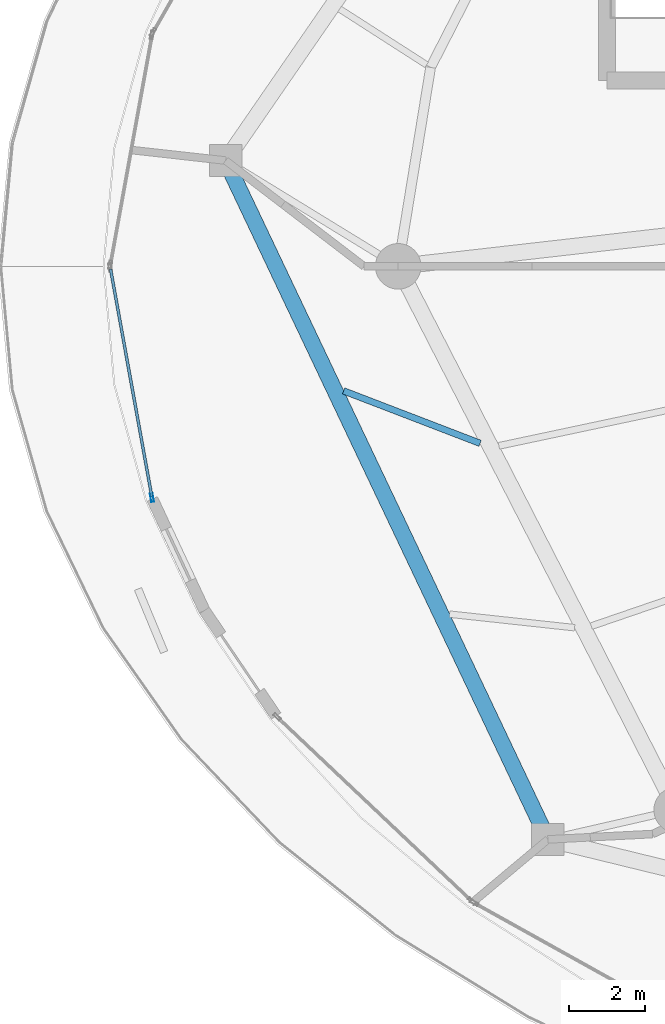
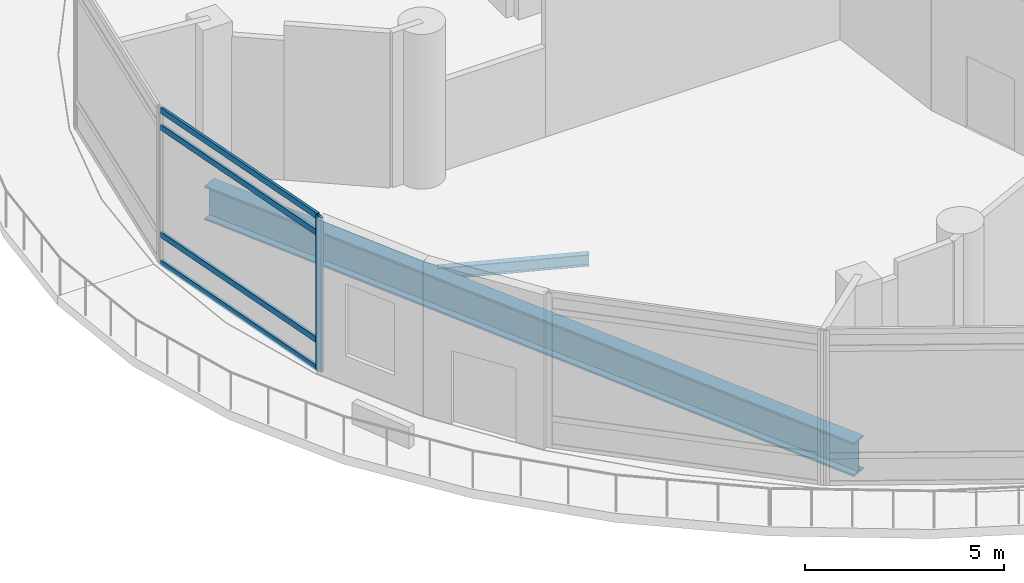
# One storey, part 7 of 34: 5 members, 2 beams, 1 element without a shape of its own.
"""IFC4 building model written with IfcOpenShell, lengths in metres."""

from ifc_helpers import new_model, si_unit, direction, frame, origin, origin_2d, place, context, subcontext, project, spatial, hollow_rectangle, i_section, extrude, material, layer, layer_set, material_profile, profile_set, type_object, element, aggregate, save


model = new_model("IFC4")

# Units and contexts
model_context = context("Model", 3, precision=1e-05, world=origin(), true_north=direction((0.0, 1.0)))
body_context = subcontext(model_context, "Body", "Model", "MODEL_VIEW")
ifc_project = project(units=[si_unit("LENGTHUNIT", "METRE"), si_unit("AREAUNIT", "SQUARE_METRE"), si_unit("VOLUMEUNIT", "CUBIC_METRE"), si_unit("PLANEANGLEUNIT", "RADIAN"), si_unit("MASSUNIT", "GRAM", prefix="KILO")], contexts=[model_context])

# Site, building, storey
site_placement = place(None, origin())
site = spatial("IfcSite", under=ifc_project, at=site_placement, CompositionType="ELEMENT")
building_placement = place(site_placement, origin())
building = spatial("IfcBuilding", under=site, at=building_placement, Name="Nuhasar Tower", CompositionType="ELEMENT")
storey_placement = place(building_placement, frame((0.0, 0.0, 16.0)))
storey = spatial("IfcBuildingStorey", under=building, at=storey_placement, Name="L03", CompositionType="ELEMENT", Elevation=16.0)

# Beams
ifc_material_1 = material(Name="Steel S355", Category="steel")
ifc_material_profile_1 = material_profile(ifc_material_1, i_section(OverallWidth=0.1708984375, OverallDepth=0.35205078125, WebThickness=0.0068359375, FlangeThickness=0.009765625, at=origin_2d()), Name="W14X30")
ifc_profile_set_1 = profile_set([ifc_material_profile_1], Name="Steel S355")
beam_type_1 = type_object("IfcBeamType", Name="BM-JST-W14X30", PredefinedType="JOIST", material=ifc_profile_set_1)
beam_1_placement = place(storey_placement, frame((16.10693359375, 22.137939453125, -0.47607421875), z_axis=(-0.933450159454, 0.358707122616, 0.0), x_axis=(-0.358707122616, -0.933450159454, 0.0)))
element("IfcBeam", 1, at=beam_1_placement, inside=storey, type_object=beam_type_1, Name="L03 Podium Secondary Joist 15", PredefinedType="JOIST", context=body_context, shape_type="SweptSolid", body=[
    extrude(i_section(OverallWidth=0.1708984375, OverallDepth=0.35205078125, WebThickness=0.0068359375, FlangeThickness=0.009765625, at=origin_2d()), origin(), (0.0, 0.0, 1.0), 3.850341796875),
])
ifc_material_2 = material(Name="Steel S460", Category="steel")
ifc_material_profile_2 = material_profile(ifc_material_2, i_section(OverallWidth=0.419921875, OverallDepth=1.0400390625, WebThickness=0.031005859375, FlangeThickness=0.055908203125, at=origin_2d()), Name="W40X397")
ifc_profile_set_2 = profile_set([ifc_material_profile_2], Name="Steel S460")
beam_type_2 = type_object("IfcBeamType", Name="BM-XFER-W40X397", PredefinedType="USERDEFINED", material=ifc_profile_set_2)
beam_2_placement = place(storey_placement, frame((9.405029296875, 29.5869140625, -0.820068359375), z_axis=(0.428773284458, -0.903412126626, 0.0), x_axis=(0.903412126626, 0.428773284458, 0.0)))
element("IfcBeam", 2, at=beam_2_placement, inside=storey, type_object=beam_type_2, Name="L03 Podium Ring Girder 08", ObjectType="GIRDER", PredefinedType="USERDEFINED", context=body_context, shape_type="SweptSolid", body=[
    extrude(i_section(OverallWidth=0.419921875, OverallDepth=1.0400390625, WebThickness=0.031005859375, FlangeThickness=0.055908203125, at=origin_2d()), origin(), (0.0, 0.0, 1.0), 19.796142578125),
])

# Curtain wall, members
ifc_material_3 = material(Name="Aluminium 6063-T6", Category="aluminium")
ifc_layer = layer(ifc_material_3, 0.219970703125)
ifc_layer_set = layer_set([ifc_layer], Name="Aluminium 6063-T6")
curtain_wall_type = type_object("IfcCurtainWallType", Name="CW-PODIUM", PredefinedType="NOTDEFINED", material=ifc_layer_set)
curtain_wall_placement = place(storey_placement, origin())
curtain_wall = element("IfcCurtainWall", 3, at=curtain_wall_placement, inside=storey, type_object=curtain_wall_type, Name="L03 Podium Curtain Wall Bay 13", PredefinedType="NOTDEFINED")
ifc_material_profile_3 = material_profile(ifc_material_3, hollow_rectangle(XDim=0.074951171875, YDim=0.219970703125, WallThickness=0.0048828125, at=origin_2d()), Name="CWM-1")
ifc_profile_set_3 = profile_set([ifc_material_profile_3], Name="Aluminium 6063-T6")
member_type_1 = type_object("IfcMemberType", Name="CW-MUL-S1", PredefinedType="MULLION", material=ifc_profile_set_3)
member_1_placement = place(storey_placement, frame((7.46533203125, 20.705810546875, 0.0), z_axis=(0.0, 0.0, 1.0), x_axis=(0.983946852717, 0.178461735474, 0.0)))
member_1 = element("IfcMember", 4, at=member_1_placement, type_object=member_type_1, Name="CW-P1 mullion 2", PredefinedType="MULLION", context=body_context, shape_type="SweptSolid", body=[
    extrude(hollow_rectangle(XDim=0.074951171875, YDim=0.219970703125, WallThickness=0.0048828125, at=origin_2d()), origin(), (0.0, 0.0, 1.0), 4.739990234375),
])
ifc_material_profile_4 = material_profile(ifc_material_3, hollow_rectangle(XDim=0.074951171875, YDim=0.179931640625, WallThickness=0.00439453125, at=origin_2d()), Name="CWT-1")
ifc_profile_set_4 = profile_set([ifc_material_profile_4], Name="Aluminium 6063-T6")
member_type_2 = type_object("IfcMemberType", Name="CW-TRN-S1", PredefinedType="USERDEFINED", material=ifc_profile_set_4)
member_2_placement = place(storey_placement, frame((6.373291015625, 26.726318359375, 0.03759765625), z_axis=(0.178450875807, -0.983948822309, 0.0), x_axis=(0.983948822309, 0.178450875807, 0.0)))
member_2 = element("IfcMember", 5, at=member_2_placement, type_object=member_type_2, Name="CW-P1 transom 1.1", ObjectType="TRANSOM", PredefinedType="USERDEFINED", context=body_context, shape_type="SweptSolid", body=[
    extrude(hollow_rectangle(XDim=0.074951171875, YDim=0.179931640625, WallThickness=0.00439453125, at=origin_2d()), origin(), (0.0, 0.0, 1.0), 6.081298828125),
])
member_3_placement = place(storey_placement, frame((6.373291015625, 26.726318359375, 0.89990234375), z_axis=(0.178450875807, -0.983948822309, 0.0), x_axis=(0.983948822309, 0.178450875807, 0.0)))
member_3 = element("IfcMember", 6, at=member_3_placement, type_object=member_type_2, Name="CW-P1 transom 1.2", ObjectType="TRANSOM", PredefinedType="USERDEFINED", context=body_context, shape_type="SweptSolid", body=[
    extrude(hollow_rectangle(XDim=0.074951171875, YDim=0.179931640625, WallThickness=0.00439453125, at=origin_2d()), origin(), (0.0, 0.0, 1.0), 6.081298828125),
])
member_4_placement = place(storey_placement, frame((6.373291015625, 26.726318359375, 4.18994140625), z_axis=(0.178450875807, -0.983948822309, 0.0), x_axis=(0.983948822309, 0.178450875807, 0.0)))
member_4 = element("IfcMember", 7, at=member_4_placement, type_object=member_type_2, Name="CW-P1 transom 1.3", ObjectType="TRANSOM", PredefinedType="USERDEFINED", context=body_context, shape_type="SweptSolid", body=[
    extrude(hollow_rectangle(XDim=0.074951171875, YDim=0.179931640625, WallThickness=0.00439453125, at=origin_2d()), origin(), (0.0, 0.0, 1.0), 6.081298828125),
])
member_5_placement = place(storey_placement, frame((6.373291015625, 26.726318359375, 4.702392578125), z_axis=(0.178450875807, -0.983948822309, 0.0), x_axis=(0.983948822309, 0.178450875807, 0.0)))
member_5 = element("IfcMember", 8, at=member_5_placement, type_object=member_type_2, Name="CW-P1 transom 1.4", ObjectType="TRANSOM", PredefinedType="USERDEFINED", context=body_context, shape_type="SweptSolid", body=[
    extrude(hollow_rectangle(XDim=0.074951171875, YDim=0.179931640625, WallThickness=0.00439453125, at=origin_2d()), origin(), (0.0, 0.0, 1.0), 6.081298828125),
])
aggregate(curtain_wall, [member_1, member_2, member_3, member_4, member_5])

save(model, "model.ifc")
